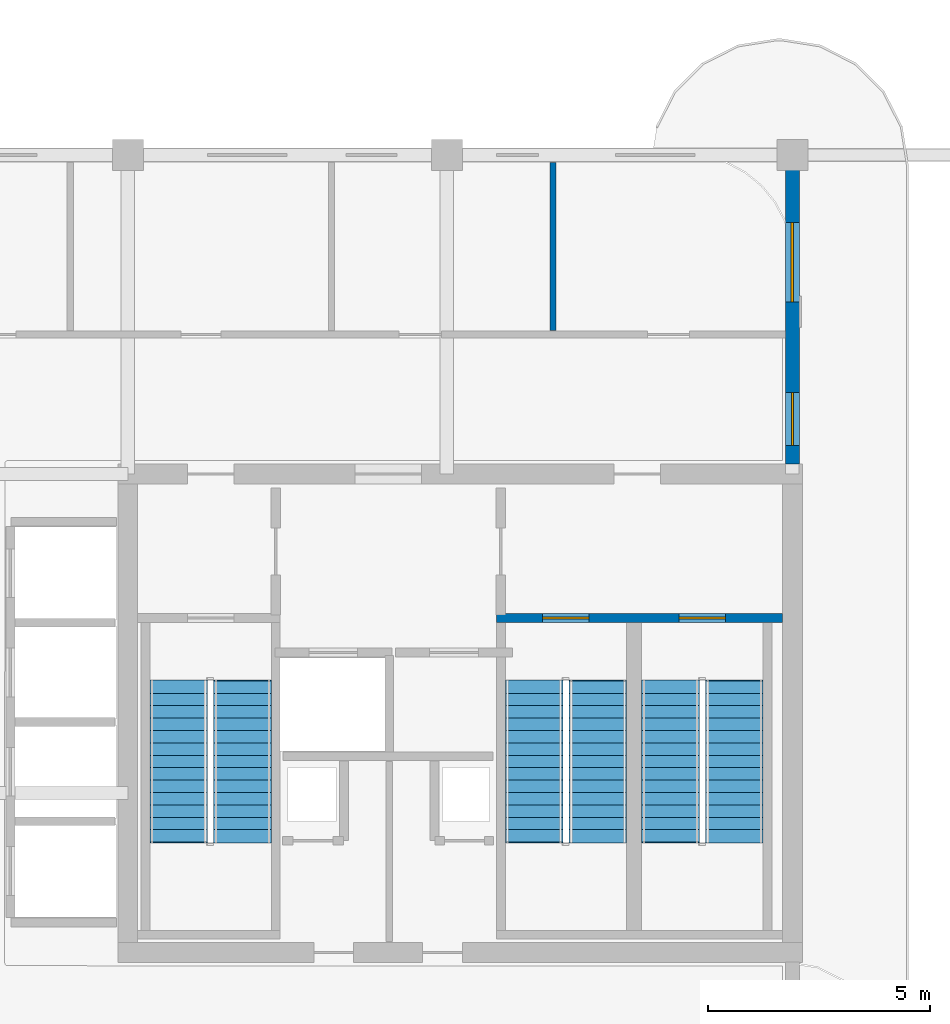
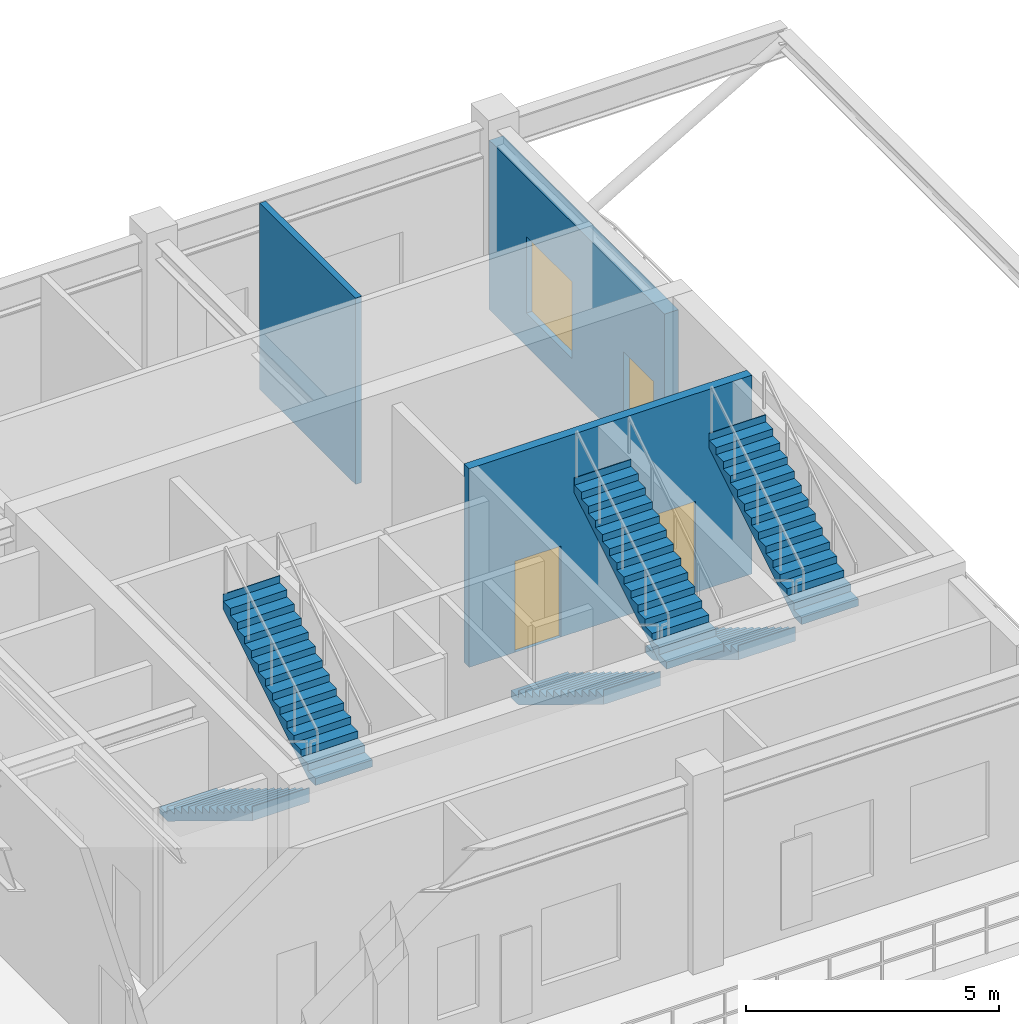
# One storey, part 5 of 8: 6 stair flights, 3 doors, 3 walls, 1 window, 4 openings, 3 elements without a shape of their own.
"""IFC4 building model written with IfcOpenShell, lengths in metres."""

from ifc_helpers import new_model, si_unit, derived_unit, direction, frame, frame_2d, origin, place, context, subcontext, project, spatial, polyline, rectangle, outline, extrude, source, transform, mapped, material, layer, layer_set, type_object, type_shapes, element, fill, aggregate, save


model = new_model("IFC4")

# Units and contexts
model_context = context("Model", 3, precision=1e-05, world=origin(), true_north=direction((0.0, 1.0)))
body_context = subcontext(model_context, "Body", "Model", "MODEL_VIEW")
ifc_project = project(units=[si_unit("LENGTHUNIT", "METRE"), si_unit("AREAUNIT", "SQUARE_METRE"), si_unit("VOLUMEUNIT", "CUBIC_METRE"), si_unit("PLANEANGLEUNIT", "RADIAN"), si_unit("MASSUNIT", "GRAM", prefix="KILO"), si_unit("THERMODYNAMICTEMPERATUREUNIT", "KELVIN"), si_unit("POWERUNIT", "WATT"), derived_unit("THERMALTRANSMITTANCEUNIT", [(si_unit("POWERUNIT", "WATT"), 1), (si_unit("AREAUNIT", "SQUARE_METRE"), -1), (si_unit("THERMODYNAMICTEMPERATUREUNIT", "KELVIN"), -1)])], contexts=[model_context])

# Site, building, storey
site_placement = place(None, origin())
site = spatial("IfcSite", under=ifc_project, at=site_placement, CompositionType="ELEMENT")
building_placement = place(site_placement, origin())
building = spatial("IfcBuilding", under=site, at=building_placement, Name="Zahravan Archway Hotel and Residences", CompositionType="ELEMENT")
storey_placement = place(building_placement, frame((0.0, 0.0, 294.300048828125)))
storey = spatial("IfcBuildingStorey", under=building, at=storey_placement, Name="L74", CompositionType="ELEMENT", Elevation=294.300048828125)

# Wall, openings, door, window
ifc_material_1 = material(Name="Agra Buff Sandstone & Insulated Backup", Category="masonry")
ifc_layer_1 = layer(ifc_material_1, 0.320068359375, Name="Agra Buff Sandstone & Insulated Backup", Category="masonry")
ifc_layer_set_1 = layer_set([ifc_layer_1], Name="Agra Buff Sandstone & Insulated Backup")
wall_type_1 = type_object("IfcWallType", Name="EW-SAND-320", PredefinedType="SOLIDWALL", material=ifc_layer_set_1)
wall_1_placement = place(storey_placement, frame((49.800048828125, 14.6201171875, 0.0), z_axis=(0.0, 0.0, 1.0), x_axis=(0.0, 1.0, 0.0)))
wall_1 = element("IfcWall", 1, at=wall_1_placement, inside=storey, type_object=wall_type_1, Name="L74 Exterior Sandstone Wall WA-EN", PredefinedType="SOLIDWALL", context=body_context, shape_type="SweptSolid", body=[
    extrude(rectangle(XDim=6.929931640625, YDim=0.320068359375, at=frame_2d((3.46484375, 0.0))), origin(), (0.0, 0.0, 1.0), 4.0849609375),
])
opening_1_placement = place(wall_1_placement, frame((0.419921875, 0.0, 0.0)))
opening_1 = element("IfcOpeningElement", 2, at=opening_1_placement, cuts=wall_1, Name="Opening ED-BL1", PredefinedType="OPENING", context=body_context, shape_type="SweptSolid", body=[
    extrude(rectangle(XDim=1.199951171875, YDim=2.199951171875, at=frame_2d((0.60009765625, 1.10009765625))), frame((0.0, 0.169921875, 0.0), z_axis=(0.0, -1.0, 0.0), x_axis=(1.0, 0.0, 0.0)), (0.0, 0.0, 1.0), 0.340087890625),
])
opening_2_placement = place(wall_1_placement, frame((3.658935546875, 0.0, 0.800048828125)))
opening_2 = element("IfcOpeningElement", 3, at=opening_2_placement, cuts=wall_1, Name="Opening W-02", PredefinedType="OPENING", context=body_context, shape_type="SweptSolid", body=[
    extrude(rectangle(XDim=1.800048828125, YDim=1.85009765625, at=frame_2d((0.89990234375, 0.925048828125))), frame((0.0, 0.169921875, 0.0), z_axis=(0.0, -1.0, 0.0), x_axis=(1.0, 0.0, 0.0)), (0.0, 0.0, 1.0), 0.340087890625),
])
ifc_material_2 = material(Name="Bronze-Anodized Glazed Aluminium", Category="aluminium")
door_type_1 = type_object("IfcDoorType", Name="ED-BALC-1200", OperationType="SLIDING_TO_LEFT", PredefinedType="DOOR", material=ifc_material_2)
shared_shape_1 = source(origin(), body_context, "Body", "SweptSolid", [
    extrude(rectangle(XDim=1.199951171875, YDim=2.199951171875, at=frame_2d((0.60009765625, 1.10009765625))), frame((0.0, 0.02490234375, 0.0), z_axis=(0.0, -1.0, 0.0), x_axis=(1.0, 0.0, 0.0)), (0.0, 0.0, 1.0), 0.050048828125),
])
type_shapes(door_type_1, [shared_shape_1])
door_1_placement = place(opening_1_placement, origin())
door_1 = element("IfcDoor", 4, at=door_1_placement, inside=storey, type_object=door_type_1, Name="L74 Outdoor Access Sliding Door (SLB-BAL-L74-EA)", OperationType="SLIDING_TO_LEFT", OverallHeight=2.199951171875, OverallWidth=1.199951171875, PredefinedType="DOOR", context=body_context, shape_type="MappedRepresentation", body=[
    mapped(shared_shape_1, transform((0.0, 0.0, 0.0), scale=1.0)),
])
fill(opening_1, door_1)
ifc_material_3 = material(Name="Bronze-Anodized Thermal-Break Aluminium & Low-E Glass", Category="aluminium")
window_type = type_object("IfcWindowType", Name="WIN-TWR-1800", PartitioningType="DOUBLE_PANEL_VERTICAL", PredefinedType="WINDOW", material=ifc_material_3)
shared_shape_2 = source(origin(), body_context, "Body", "SweptSolid", [
    extrude(rectangle(XDim=1.800048828125, YDim=1.85009765625, at=frame_2d((0.89990234375, 0.925048828125))), frame((0.0, 0.030029296875, 0.0), z_axis=(0.0, -1.0, 0.0), x_axis=(1.0, 0.0, 0.0)), (0.0, 0.0, 1.0), 0.06005859375),
])
type_shapes(window_type, [shared_shape_2])
window_placement = place(opening_2_placement, origin())
window = element("IfcWindow", 5, at=window_placement, inside=storey, type_object=window_type, Name="L74 Loggia Window 08", OverallHeight=1.85009765625, OverallWidth=1.800048828125, PartitioningType="DOUBLE_PANEL_VERTICAL", PredefinedType="WINDOW", context=body_context, shape_type="MappedRepresentation", body=[
    mapped(shared_shape_2, transform((0.0, 0.0, 0.0), scale=1.0)),
])
fill(opening_2, window)

# Wall
ifc_material_4 = material(Name="Moisture-Resistant Blockwork", Category="masonry")
ifc_layer_2 = layer(ifc_material_4, 0.139892578125, Name="Moisture-Resistant Blockwork", Category="masonry")
ifc_layer_set_2 = layer_set([ifc_layer_2], Name="Moisture-Resistant Blockwork")
wall_type_2 = type_object("IfcWallType", Name="PW-WET-140", PredefinedType="PARTITIONING", material=ifc_layer_set_2)
wall_2_placement = place(storey_placement, frame((44.39990234375, 17.639892578125, 0.0), z_axis=(0.0, 0.0, 1.0), x_axis=(0.0, 1.0, 0.0)))
element("IfcWall", 6, at=wall_2_placement, inside=storey, type_object=wall_type_2, Name="L74 Partition NE2-3", PredefinedType="PARTITIONING", context=body_context, shape_type="SweptSolid", body=[
    extrude(rectangle(XDim=3.7919921875, YDim=0.139892578125, at=frame_2d((1.89599609375, 0.0))), origin(), (0.0, 0.0, 1.0), 4.5),
])

# Wall, openings, doors
ifc_material_5 = material(Name="Concrete C50/60", Category="concrete")
ifc_layer_3 = layer(ifc_material_5, 0.199951171875, Name="Concrete C50/60", Category="concrete")
ifc_layer_set_3 = layer_set([ifc_layer_3], Name="Concrete C50/60")
wall_type_3 = type_object("IfcWallType", Name="SW-STAIR-200", PredefinedType="SHEAR", material=ifc_layer_set_3)
wall_3_placement = place(storey_placement, frame((43.1201171875, 11.14990234375, 0.0), z_axis=(0.0, 0.0, 1.0), x_axis=(1.0, 0.0, 0.0)))
wall_3 = element("IfcWall", 7, at=wall_3_placement, inside=storey, type_object=wall_type_3, Name="L74 Stairwell RC Wall CA-SA23N", PredefinedType="SHEAR", context=body_context, shape_type="SweptSolid", body=[
    extrude(rectangle(XDim=6.454833984375, YDim=0.199951171875, at=frame_2d((3.2275390625, 0.0))), origin(), (0.0, 0.0, 1.0), 4.800048828125),
])
opening_3_placement = place(wall_3_placement, frame((1.044921875, 0.0, 0.0)))
opening_3 = element("IfcOpeningElement", 8, at=opening_3_placement, cuts=wall_3, Name="Opening FD-S1", PredefinedType="OPENING", context=body_context, shape_type="SweptSolid", body=[
    extrude(rectangle(XDim=1.050048828125, YDim=2.199951171875, at=frame_2d((0.52490234375, 1.10009765625))), frame((0.0, 0.10986328125, 0.0), z_axis=(0.0, -1.0, 0.0), x_axis=(1.0, 0.0, 0.0)), (0.0, 0.0, 1.0), 0.219970703125),
])
opening_4_placement = place(wall_3_placement, frame((4.125, 0.0, 0.0)))
opening_4 = element("IfcOpeningElement", 9, at=opening_4_placement, cuts=wall_3, Name="Opening FD-S1", PredefinedType="OPENING", context=body_context, shape_type="SweptSolid", body=[
    extrude(rectangle(XDim=1.050048828125, YDim=2.199951171875, at=frame_2d((0.52490234375, 1.10009765625))), frame((0.0, 0.10986328125, 0.0), z_axis=(0.0, -1.0, 0.0), x_axis=(1.0, 0.0, 0.0)), (0.0, 0.0, 1.0), 0.219970703125),
])
ifc_material_6 = material(Name="Fire-Rated Painted Steel", Category="steel")
door_type_2 = type_object("IfcDoorType", Name="FD-STAIR-1100", OperationType="NOTDEFINED", PredefinedType="DOOR", material=ifc_material_6)
shared_shape_3 = source(origin(), body_context, "Body", "SweptSolid", [
    extrude(rectangle(XDim=1.050048828125, YDim=2.199951171875, at=frame_2d((0.52490234375, 1.10009765625))), frame((0.0, 0.02490234375, 0.0), z_axis=(0.0, -1.0, 0.0), x_axis=(1.0, 0.0, 0.0)), (0.0, 0.0, 1.0), 0.050048828125),
])
type_shapes(door_type_2, [shared_shape_3])
door_2_placement = place(opening_3_placement, origin())
door_2 = element("IfcDoor", 10, at=door_2_placement, inside=storey, type_object=door_type_2, Name="L74 Stair ST-A2 Door", OperationType="SINGLE_SWING_LEFT", OverallHeight=2.199951171875, OverallWidth=1.050048828125, PredefinedType="DOOR", context=body_context, shape_type="MappedRepresentation", body=[
    mapped(shared_shape_3, transform((0.0, 0.0, 0.0), scale=1.0)),
])
fill(opening_3, door_2)
door_3_placement = place(opening_4_placement, origin())
door_3 = element("IfcDoor", 11, at=door_3_placement, inside=storey, type_object=door_type_2, Name="L74 Stair ST-A3 Door", OperationType="SINGLE_SWING_RIGHT", OverallHeight=2.199951171875, OverallWidth=1.050048828125, PredefinedType="DOOR", context=body_context, shape_type="MappedRepresentation", body=[
    mapped(shared_shape_3, transform((0.0, 0.0, 0.0), scale=1.0)),
])
fill(opening_4, door_3)

# Stair, stair flights
stair_type = type_object("IfcStairType", Name="STR-CORE-1300", PredefinedType="HALF_TURN_STAIR", material=ifc_material_5)
stair_1_placement = place(storey_placement, origin())
stair_1 = element("IfcStair", 12, at=stair_1_placement, inside=storey, type_object=stair_type, Name="L74 Core A Exit Stair 1", PredefinedType="HALF_TURN_STAIR")
ifc_layer_4 = layer(ifc_material_5, 0.199951171875, Name="Concrete C50/60", Category="concrete")
ifc_layer_set_4 = layer_set([ifc_layer_4], Name="Concrete C50/60")
stair_flight_type = type_object("IfcStairFlightType", Name="SFL-CORE-1300", PredefinedType="STRAIGHT", material=ifc_layer_set_4)
shared_shape_4 = source(origin(), body_context, "Body", "SweptSolid", [
    extrude(outline(polyline([(-0.01611328125, 0.0), (-0.01611328125, 0.17138671875), (0.280029296875, 0.17138671875), (0.280029296875, 0.3427734375), (0.56005859375, 0.3427734375), (0.56005859375, 0.514404296875), (0.840087890625, 0.514404296875), (0.840087890625, 0.685791015625), (1.1201171875, 0.685791015625), (1.1201171875, 0.857177734375), (1.39990234375, 0.857177734375), (1.39990234375, 1.028564453125), (1.679931640625, 1.028564453125), (1.679931640625, 1.199951171875), (1.9599609375, 1.199951171875), (1.9599609375, 1.371337890625), (2.239990234375, 1.371337890625), (2.239990234375, 1.54296875), (2.52001953125, 1.54296875), (2.52001953125, 1.71435546875), (2.800048828125, 1.71435546875), (2.800048828125, 1.8857421875), (3.080078125, 1.8857421875), (3.080078125, 2.05712890625), (3.360107421875, 2.05712890625), (3.360107421875, 2.228515625), (3.639892578125, 2.228515625), (3.639892578125, 2.39990234375), (3.656005859375, 2.39990234375), (3.656005859375, 2.052734375), (0.287109375, 0.0), (-0.01611328125, 0.0)])), frame((0.0, 0.64990234375, 0.0), z_axis=(0.0, -1.0, 0.0), x_axis=(1.0, 0.0, 0.0)), (0.0, 0.0, 1.0), 1.300048828125),
])
stair_flight_1_placement = place(storey_placement, frame((35.949951171875, 9.72998046875, 0.0), z_axis=(0.0, 0.0, 1.0), x_axis=(0.0, -1.0, 0.0)))
stair_flight_1 = element("IfcStairFlight", 13, at=stair_flight_1_placement, type_object=stair_flight_type, Name="ST-A1 flight 1", NumberOfRisers=14, NumberOfTreads=13, PredefinedType="STRAIGHT", RiserHeight=0.171428571, TreadLength=0.28, context=body_context, shape_type="MappedRepresentation", body=[
    mapped(shared_shape_4, transform((0.0, 0.0, 0.0), scale=1.0)),
])
stair_flight_2_placement = place(storey_placement, frame((37.389892578125, 6.090087890625, 2.39990234375), z_axis=(0.0, 0.0, 1.0), x_axis=(0.0, 1.0, 0.0)))
stair_flight_2 = element("IfcStairFlight", 14, at=stair_flight_2_placement, type_object=stair_flight_type, Name="ST-A1 flight 2", NumberOfRisers=14, NumberOfTreads=13, PredefinedType="STRAIGHT", RiserHeight=0.171428571, TreadLength=0.28, context=body_context, shape_type="MappedRepresentation", body=[
    mapped(shared_shape_4, transform((0.0, 0.0, 0.0), scale=1.0)),
])
aggregate(stair_1, [stair_flight_1, stair_flight_2])

stair_2_placement = place(storey_placement, origin())
stair_2 = element("IfcStair", 15, at=stair_2_placement, inside=storey, type_object=stair_type, Name="L74 Core A Exit Stair 2", PredefinedType="HALF_TURN_STAIR")
stair_flight_3_placement = place(storey_placement, frame((43.969970703125, 9.72998046875, 0.0), z_axis=(0.0, 0.0, 1.0), x_axis=(0.0, -1.0, 0.0)))
stair_flight_3 = element("IfcStairFlight", 16, at=stair_flight_3_placement, type_object=stair_flight_type, Name="ST-A2 flight 1", NumberOfRisers=14, NumberOfTreads=13, PredefinedType="STRAIGHT", RiserHeight=0.171428571, TreadLength=0.28, context=body_context, shape_type="MappedRepresentation", body=[
    mapped(shared_shape_4, transform((0.0, 0.0, 0.0), scale=1.0)),
])
stair_flight_4_placement = place(storey_placement, frame((45.409912109375, 6.090087890625, 2.39990234375), z_axis=(0.0, 0.0, 1.0), x_axis=(0.0, 1.0, 0.0)))
stair_flight_4 = element("IfcStairFlight", 17, at=stair_flight_4_placement, type_object=stair_flight_type, Name="ST-A2 flight 2", NumberOfRisers=14, NumberOfTreads=13, PredefinedType="STRAIGHT", RiserHeight=0.171428571, TreadLength=0.28, context=body_context, shape_type="MappedRepresentation", body=[
    mapped(shared_shape_4, transform((0.0, 0.0, 0.0), scale=1.0)),
])
aggregate(stair_2, [stair_flight_3, stair_flight_4])

stair_3_placement = place(storey_placement, origin())
stair_3 = element("IfcStair", 18, at=stair_3_placement, inside=storey, type_object=stair_type, Name="L74 Core A Exit Stair 3", PredefinedType="HALF_TURN_STAIR")
stair_flight_5_placement = place(storey_placement, frame((47.050048828125, 9.72998046875, 0.0), z_axis=(0.0, 0.0, 1.0), x_axis=(0.0, -1.0, 0.0)))
stair_flight_5 = element("IfcStairFlight", 19, at=stair_flight_5_placement, type_object=stair_flight_type, Name="ST-A3 flight 1", NumberOfRisers=14, NumberOfTreads=13, PredefinedType="STRAIGHT", RiserHeight=0.171428571, TreadLength=0.28, context=body_context, shape_type="MappedRepresentation", body=[
    mapped(shared_shape_4, transform((0.0, 0.0, 0.0), scale=1.0)),
])
stair_flight_6_placement = place(storey_placement, frame((48.489990234375, 6.090087890625, 2.39990234375), z_axis=(0.0, 0.0, 1.0), x_axis=(0.0, 1.0, 0.0)))
stair_flight_6 = element("IfcStairFlight", 20, at=stair_flight_6_placement, type_object=stair_flight_type, Name="ST-A3 flight 2", NumberOfRisers=14, NumberOfTreads=13, PredefinedType="STRAIGHT", RiserHeight=0.171428571, TreadLength=0.28, context=body_context, shape_type="MappedRepresentation", body=[
    mapped(shared_shape_4, transform((0.0, 0.0, 0.0), scale=1.0)),
])
aggregate(stair_3, [stair_flight_5, stair_flight_6])

save(model, "model.ifc")
